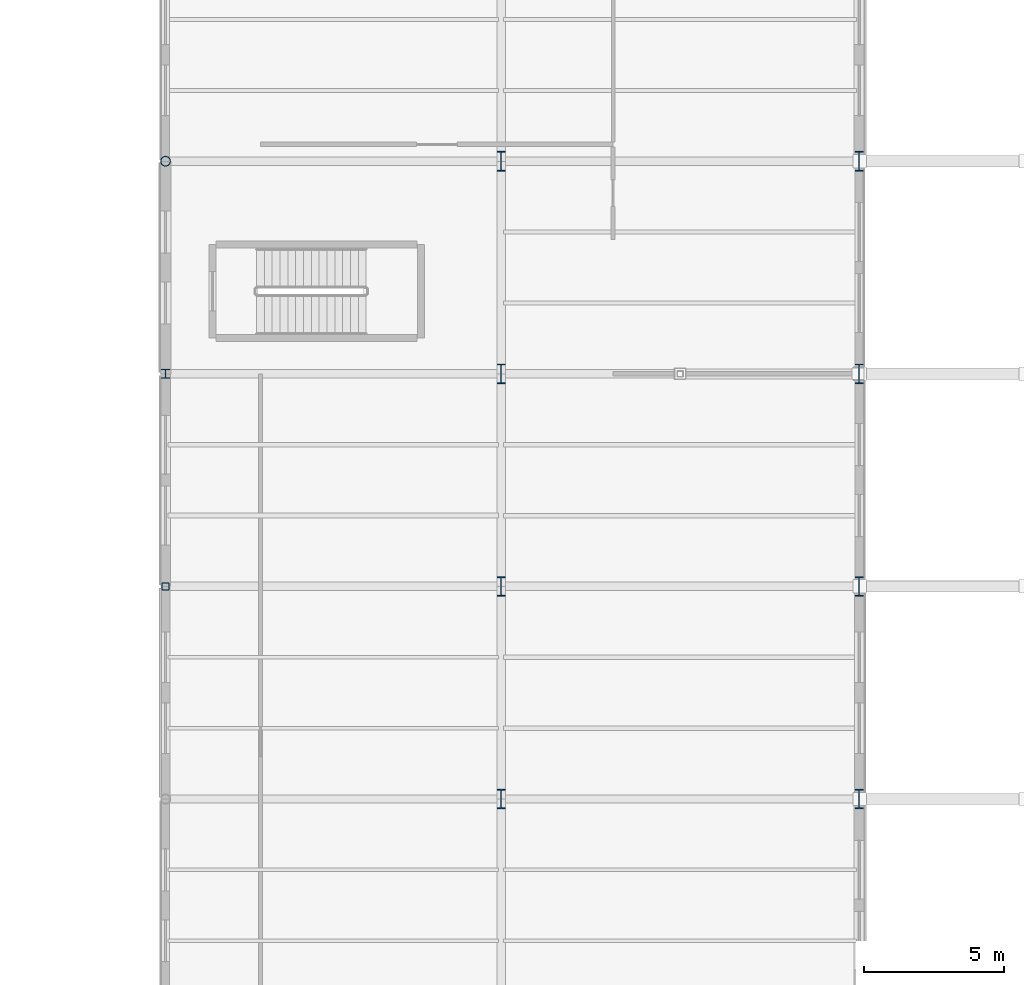
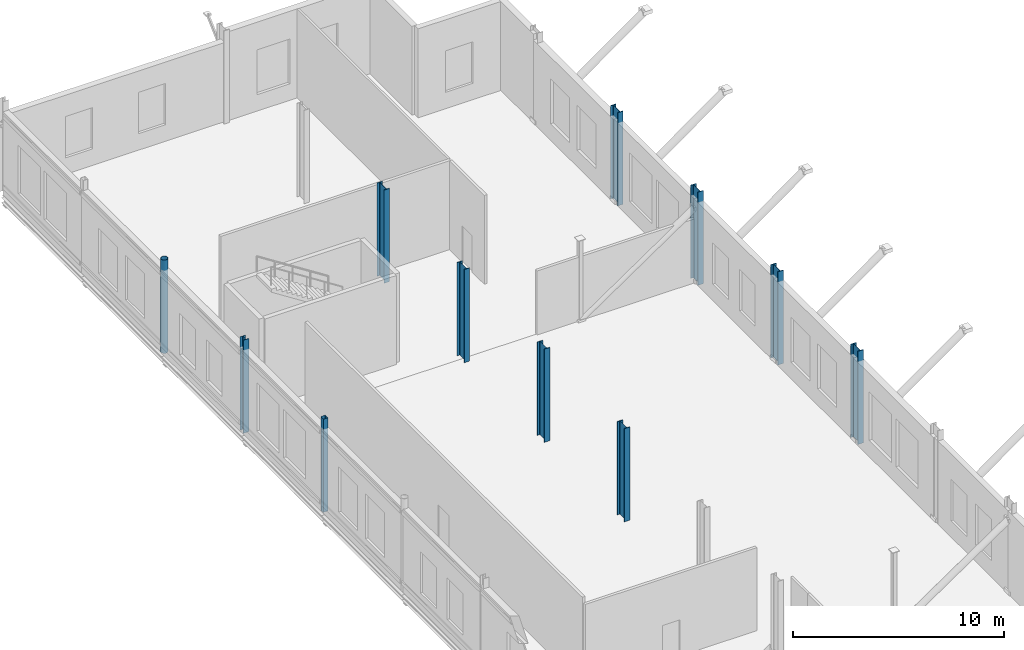
# One storey, part 20 of 147: 11 columns.
"""IFC4 building model written with IfcOpenShell, lengths in metres."""

import ifcopenshell
import ifcopenshell.guid

model = None  # the IFC model being written
_history = None  # IfcOwnerHistory: only IFC2X3 demands one
_inside = {}  # id of a spatial element -> (the spatial element, [elements in it])
_under = {}  # id of a project, library or spatial element -> (it, [spatial elements below it])
_declared = {}  # id of a project -> (the project, [libraries it declares])
_typed = {}  # id of a type object -> (the type object, [elements of that type])
_made_of = {}  # id of a material, layer set ... -> (it, [elements and type objects made of it])


def new_model(schema):
    """Start an empty IFC model of exactly this schema.

    Asked for "IFC4X3", IfcOpenShell would pick the latest addendum, in which some entities
    have other attributes; the version numbers below select the first issue.
    IFC2X3 requires an IfcOwnerHistory on every rooted entity: one is made here for all.
    """
    global model, _history
    if schema == "IFC4X3":
        model = ifcopenshell.file(schema_version=(4, 3, 0, 0))
    else:
        model = ifcopenshell.file(schema=schema)
    _inside.clear()
    _under.clear()
    _declared.clear()
    _typed.clear()
    _made_of.clear()
    _history = None
    if model.schema == "IFC2X3":
        org = make("IfcOrganization", Name="unknown")
        user = make(
            "IfcPersonAndOrganization",
            ThePerson=make("IfcPerson", FamilyName="unknown"),
            TheOrganization=org,
        )
        app = make(
            "IfcApplication",
            ApplicationDeveloper=org,
            Version="unknown",
            ApplicationFullName="unknown",
            ApplicationIdentifier="unknown",
        )
        _history = make(
            "IfcOwnerHistory",
            OwningUser=user,
            OwningApplication=app,
            ChangeAction="ADDED",
            CreationDate=0,
        )
    return model


def make(cls, **values):
    """One entity of the class cls with the attributes given. An attribute that is None is left unset."""
    return model.create_entity(
        cls, **{name: value for name, value in values.items() if value is not None}
    )


def rooted(cls, **values):
    """An entity with a GlobalId (a new one), such as an element, a storey or a relation."""
    return make(cls, GlobalId=ifcopenshell.guid.new(), OwnerHistory=_history, **values)


def si_unit(unit_type, name, prefix=None):
    """IfcSIUnit, for example si_unit("LENGTHUNIT", "METRE", prefix="MILLI")."""
    return make("IfcSIUnit", UnitType=unit_type, Prefix=prefix, Name=name)


def assignment(units):
    """IfcUnitAssignment: the units of a project."""
    return None if units is None else make("IfcUnitAssignment", Units=units)


def point(xyz):
    """IfcCartesianPoint."""
    return None if xyz is None else make("IfcCartesianPoint", Coordinates=xyz)


def direction(xyz):
    """IfcDirection."""
    return None if xyz is None else make("IfcDirection", DirectionRatios=xyz)


def frame(location, z_axis=None, x_axis=None):
    """IfcAxis2Placement3D, a coordinate frame: its origin and axes. An axis left out is left unset."""
    return make(
        "IfcAxis2Placement3D",
        Location=point(location),
        Axis=direction(z_axis),
        RefDirection=direction(x_axis),
    )


def frame_2d(location, x_axis=None):
    """IfcAxis2Placement2D, a coordinate frame in the plane: its origin and x axis."""
    return make(
        "IfcAxis2Placement2D", Location=point(location), RefDirection=direction(x_axis)
    )


def origin():
    """The frame at (0, 0, 0) with its axes left unset."""
    return frame((0.0, 0.0, 0.0))


def origin_2d():
    """The frame at (0, 0) in the plane with its x axis left unset."""
    return frame_2d((0.0, 0.0))


def place(relative_to, where):
    """IfcLocalPlacement: puts the frame where relative to a parent placement (None: the world)."""
    return make(
        "IfcLocalPlacement", PlacementRelTo=relative_to, RelativePlacement=where
    )


def context(
    kind, dimensions, precision=None, world=None, true_north=None, identifier=None
):
    """IfcGeometricRepresentationContext, for example the 3D "Model" context."""
    return make(
        "IfcGeometricRepresentationContext",
        ContextIdentifier=identifier,
        ContextType=kind,
        CoordinateSpaceDimension=dimensions,
        Precision=precision,
        WorldCoordinateSystem=world,
        TrueNorth=true_north,
    )


def subcontext(parent, identifier, kind, view, scale=None):
    """IfcGeometricRepresentationSubContext, for example "Body" below "Model"."""
    return make(
        "IfcGeometricRepresentationSubContext",
        ContextIdentifier=identifier,
        ContextType=kind,
        ParentContext=parent,
        TargetScale=scale,
        TargetView=view,
    )


def project(units=None, contexts=None):
    """IfcProject with its units and contexts."""
    return rooted(
        "IfcProject",
        Name="project",
        RepresentationContexts=contexts,
        UnitsInContext=assignment(units),
    )


def spatial(cls, under=None, at=None, **own):
    """A site, building, storey or space (cls), placed at a placement, below another one or the project."""
    s = rooted(cls, ObjectPlacement=at, **own)
    if under is not None:
        _under.setdefault(under.id(), (under, []))[1].append(s)
    return s


def profile(cls, at=None, kind="AREA", **sizes):
    """A parametric profile (cls). Its sizes go by their IFC names, for example OverallWidth=200.0."""
    return make(cls, ProfileType=kind, Position=at, **sizes)


def hollow_rectangle(**sizes):
    """IfcRectangleHollowProfileDef."""
    return profile("IfcRectangleHollowProfileDef", **sizes)


def hollow_circle(**sizes):
    """IfcCircleHollowProfileDef."""
    return profile("IfcCircleHollowProfileDef", **sizes)


def i_section(**sizes):
    """IfcIShapeProfileDef."""
    return profile("IfcIShapeProfileDef", **sizes)


def extrude(swept, where, along, depth):
    """IfcExtrudedAreaSolid: the profile swept, set in the frame where, extruded along a direction by depth."""
    return make(
        "IfcExtrudedAreaSolid",
        SweptArea=swept,
        Position=where,
        ExtrudedDirection=direction(along),
        Depth=depth,
    )


def shape(context_of_items, identifier, shape_type, items):
    """IfcShapeRepresentation: the items that make up one representation, for example the "Body"."""
    return make(
        "IfcShapeRepresentation",
        ContextOfItems=context_of_items,
        RepresentationIdentifier=identifier,
        RepresentationType=shape_type,
        Items=items,
    )


def material(Name=None, Category=None):
    """IfcMaterial."""
    return make("IfcMaterial", Name=Name, Category=Category)


def material_profile(
    of_material, cross_section, Name=None, Category=None, Priority=None
):
    """IfcMaterialProfile: a cross section and its material."""
    return make(
        "IfcMaterialProfile",
        Name=Name,
        Material=of_material,
        Profile=cross_section,
        Priority=Priority,
        Category=Category,
    )


def profile_set(profiles, Name=None, composite=None):
    """IfcMaterialProfileSet."""
    return make(
        "IfcMaterialProfileSet",
        Name=Name,
        MaterialProfiles=profiles,
        CompositeProfile=composite,
    )


def made_of(thing, what):
    """Note that an element or type object is made of a material, layer set ...; save() writes the relation."""
    if what is not None:
        _made_of.setdefault(what.id(), (what, []))[1].append(thing)
    return thing


def type_object(cls, material=None, **own):
    """A type object (cls), such as IfcWallType, which elements share."""
    return made_of(rooted(cls, **own), material)


def element(
    cls,
    number,
    at=None,
    inside=None,
    cuts=None,
    type_object=None,
    material=None,
    context=None,
    identifier="Body",
    shape_type=None,
    held_by="IfcProductDefinitionShape",
    body=None,
    shapes=None,
    **own,
):
    """One element of the class cls, such as IfcWall. Its Tag is "e" and its number.

    at: its placement. inside: the storey or other place that contains it. cuts: it is an
    opening in that element (IfcRelVoidsElement). A single representation is given by context,
    identifier, shape_type and body (its items); several are given by shapes. held_by: the class
    of the entity that holds the representations. save() writes the other relations.
    """
    e = rooted(cls, Tag="e%d" % number, ObjectPlacement=at, **own)
    if body is not None:
        shapes = [shape(context, identifier, shape_type, body)]
    if shapes is not None:
        e.Representation = make(held_by, Representations=shapes)
    if inside is not None:
        _inside.setdefault(inside.id(), (inside, []))[1].append(e)
    if cuts is not None:
        rooted(
            "IfcRelVoidsElement", RelatingBuildingElement=cuts, RelatedOpeningElement=e
        )
    if type_object is not None:
        _typed.setdefault(type_object.id(), (type_object, []))[1].append(e)
    return made_of(e, material)


def aggregate(whole, parts):
    """IfcRelAggregates: a whole, such as a stair, and the parts it consists of."""
    return rooted("IfcRelAggregates", RelatingObject=whole, RelatedObjects=parts)


def save(model, path):
    """Write the relations noted so far, then the file.

    IfcRelAggregates (storeys below a building ...), IfcRelContainedInSpatialStructure (elements
    in a storey), IfcRelDefinesByType, IfcRelAssociatesMaterial and IfcRelDeclares: one each for
    every whole, place, type object, material and project.
    """
    for whole, parts in _under.values():
        aggregate(whole, parts)
    for where, things in _inside.values():
        rooted(
            "IfcRelContainedInSpatialStructure",
            RelatedElements=things,
            RelatingStructure=where,
        )
    for kind, things in _typed.values():
        rooted("IfcRelDefinesByType", RelatedObjects=things, RelatingType=kind)
    for what, things in _made_of.values():
        rooted("IfcRelAssociatesMaterial", RelatedObjects=things, RelatingMaterial=what)
    for by, libraries in _declared.values():
        rooted("IfcRelDeclares", RelatingContext=by, RelatedDefinitions=libraries)
    model.write(path)


model = new_model("IFC4")

# Units and contexts
model_context = context("Model", 3, precision=1e-05, world=origin(), true_north=direction((0.0, 1.0)))
body_context = subcontext(model_context, "Body", "Model", "MODEL_VIEW")
ifc_project = project(units=[si_unit("LENGTHUNIT", "METRE"), si_unit("AREAUNIT", "SQUARE_METRE"), si_unit("VOLUMEUNIT", "CUBIC_METRE"), si_unit("PLANEANGLEUNIT", "RADIAN"), si_unit("MASSUNIT", "GRAM", prefix="KILO")], contexts=[model_context])

# Site, building, storey
site_placement = place(None, origin())
site = spatial("IfcSite", under=ifc_project, at=site_placement, CompositionType="ELEMENT")
building_placement = place(site_placement, origin())
building = spatial("IfcBuilding", under=site, at=building_placement, Name="Vekula Escarpment Museum", CompositionType="ELEMENT")
storey_placement = place(building_placement, frame((0.0, 0.0, 7.800048828125)))
storey = spatial("IfcBuildingStorey", under=building, at=storey_placement, Name="L02", CompositionType="ELEMENT", Elevation=7.800048828125)

# Columns
ifc_material_1 = material(Name="Steel S355", Category="steel")
ifc_material_profile_1 = material_profile(ifc_material_1, hollow_circle(Radius=0.177734375, WallThickness=0.01611328125, at=origin_2d()), Name="CHS 355.6x16")
ifc_profile_set_1 = profile_set([ifc_material_profile_1], Name="Steel S355")
column_type_1 = type_object("IfcColumnType", Name="COL-S-CHS355", PredefinedType="COLUMN", material=ifc_profile_set_1)
column_1_placement = place(storey_placement, frame((167.0, 120.800048828125, 0.0), z_axis=(0.0, 0.0, 1.0), x_axis=(1.0, 0.0, 0.0)))
element("IfcColumn", 1, at=column_1_placement, inside=storey, type_object=column_type_1, Name="Column L02 (167.0,120.8)", PredefinedType="COLUMN", context=body_context, shape_type="SweptSolid", body=[
    extrude(hollow_circle(Radius=0.177734375, WallThickness=0.01611328125, at=origin_2d()), origin(), (0.0, 0.0, 1.0), 5.39990234375),
])
ifc_material_2 = material(Name="Steel S355", Category="steel")
ifc_material_profile_2 = material_profile(ifc_material_2, i_section(OverallWidth=0.300048828125, OverallDepth=0.330078125, WebThickness=0.009521484375, FlangeThickness=0.0166015625, FilletRadius=0.027099609375, at=origin_2d()), Name="HEA 340")
ifc_profile_set_2 = profile_set([ifc_material_profile_2], Name="Steel S355")
column_type_2 = type_object("IfcColumnType", Name="COL-S-HEA340", PredefinedType="COLUMN", material=ifc_profile_set_2)
column_2_placement = place(storey_placement, frame((167.0, 113.199951171875, 0.0), z_axis=(0.0, 0.0, 1.0), x_axis=(1.0, 0.0, 0.0)))
element("IfcColumn", 2, at=column_2_placement, inside=storey, type_object=column_type_2, Name="Column L02 (167.0,113.2)", PredefinedType="COLUMN", context=body_context, shape_type="SweptSolid", body=[
    extrude(i_section(OverallWidth=0.300048828125, OverallDepth=0.330078125, WebThickness=0.009521484375, FlangeThickness=0.0166015625, FilletRadius=0.027099609375, at=origin_2d()), origin(), (0.0, 0.0, 1.0), 5.39990234375),
])
ifc_material_3 = material(Name="Steel S355", Category="steel")
ifc_material_profile_3 = material_profile(ifc_material_3, i_section(OverallWidth=0.300048828125, OverallDepth=0.699951171875, WebThickness=0.01708984375, FlangeThickness=0.031982421875, FilletRadius=0.027099609375, at=origin_2d()), Name="HEB 700")
ifc_profile_set_3 = profile_set([ifc_material_profile_3], Name="Steel S355")
column_type_3 = type_object("IfcColumnType", Name="COL-S-HEB700", PredefinedType="COLUMN", material=ifc_profile_set_3)
for number, where, z_axis, x_axis, name in (
    (3, (179.0, 98.0, 0.0), (0.0, 0.0, 1.0), (1.0, 0.0, 0.0), "Column L02 (179.0,98.0)"),
    (4, (179.0, 105.60009765625, 0.0), (0.0, 0.0, 1.0), (1.0, 0.0, 0.0), "Column L02 (179.0,105.6)"),
    (5, (179.0, 113.199951171875, 0.0), (0.0, 0.0, 1.0), (1.0, 0.0, 0.0), "Column L02 (179.0,113.2)"),
    (6, (179.0, 120.800048828125, 0.0), (0.0, 0.0, 1.0), (1.0, 0.0, 0.0), "Column L02 (179.0,120.8)"),
    (7, (191.800048828125, 98.0, 0.0), (0.0, 0.0, 1.0), (1.0, 0.0, 0.0), "Column L02 (191.8,98.0)"),
    (8, (191.800048828125, 105.60009765625, 0.0), (0.0, 0.0, 1.0), (1.0, 0.0, 0.0), "Column L02 (191.8,105.6)"),
    (9, (191.800048828125, 113.199951171875, 0.0), (0.0, 0.0, 1.0), (1.0, 0.0, 0.0), "Column L02 (191.8,113.2)"),
    (10, (191.800048828125, 120.800048828125, 0.0), (0.0, 0.0, 1.0), (1.0, 0.0, 0.0), "Column L02 (191.8,120.8)"),
):
    element("IfcColumn", number, at=place(storey_placement, frame(where, z_axis=z_axis, x_axis=x_axis)), inside=storey, type_object=column_type_3, Name=name, PredefinedType="COLUMN", context=body_context, shape_type="SweptSolid", body=[
        extrude(i_section(OverallWidth=0.300048828125, OverallDepth=0.699951171875, WebThickness=0.01708984375, FlangeThickness=0.031982421875, FilletRadius=0.027099609375, at=origin_2d()), origin(), (0.0, 0.0, 1.0), 5.39990234375),
    ])
ifc_material_4 = material(Name="Steel S355", Category="steel")
ifc_material_profile_4 = material_profile(ifc_material_4, hollow_rectangle(XDim=0.260009765625, YDim=0.260009765625, WallThickness=0.012451171875, InnerFilletRadius=0.012451171875, OuterFilletRadius=0.02490234375, at=origin_2d()), Name="SHS 260x260x12.5")
ifc_profile_set_4 = profile_set([ifc_material_profile_4], Name="Steel S355")
column_type_4 = type_object("IfcColumnType", Name="COL-S-SHS260", PredefinedType="COLUMN", material=ifc_profile_set_4)
column_3_placement = place(storey_placement, frame((167.0, 105.60009765625, 0.0), z_axis=(0.0, 0.0, 1.0), x_axis=(1.0, 0.0, 0.0)))
element("IfcColumn", 11, at=column_3_placement, inside=storey, type_object=column_type_4, Name="Column L02 (167.0,105.6)", PredefinedType="COLUMN", context=body_context, shape_type="SweptSolid", body=[
    extrude(hollow_rectangle(XDim=0.260009765625, YDim=0.260009765625, WallThickness=0.012451171875, InnerFilletRadius=0.012451171875, OuterFilletRadius=0.02490234375, at=origin_2d()), origin(), (0.0, 0.0, 1.0), 5.39990234375),
])

save(model, "model.ifc")
